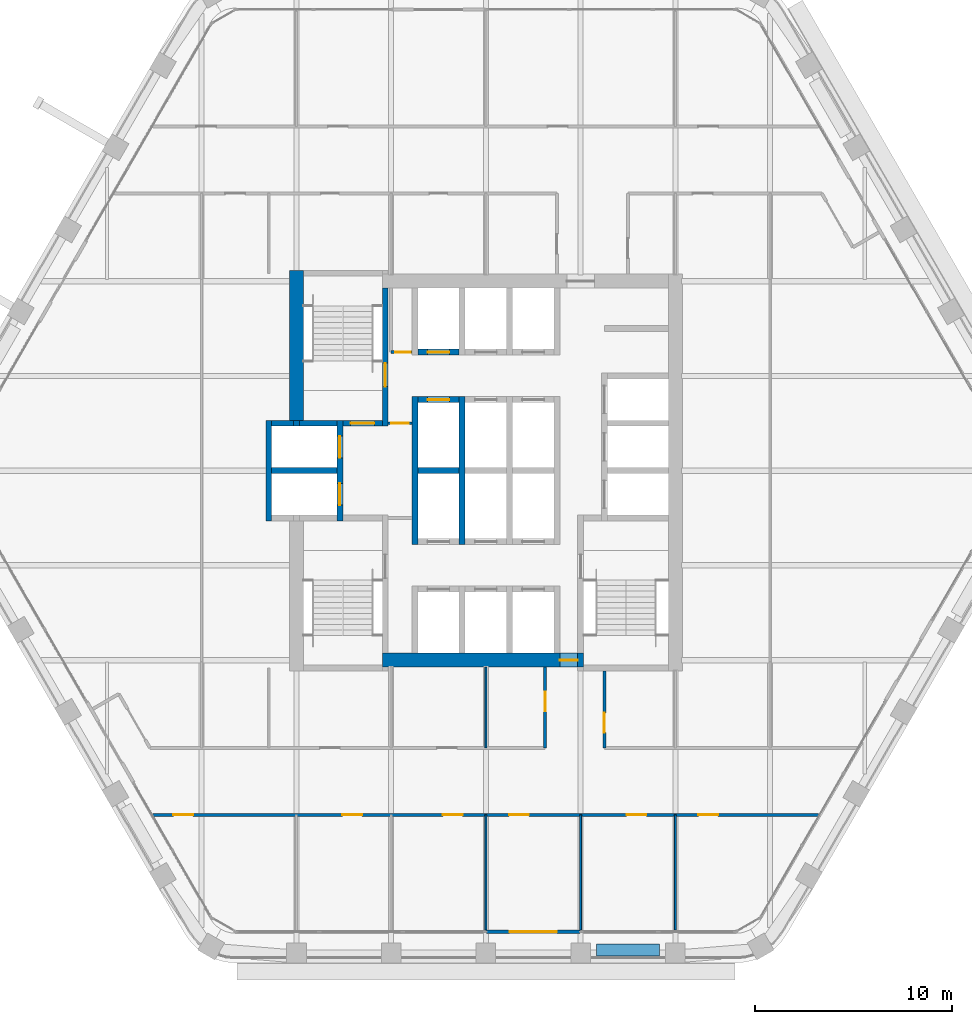
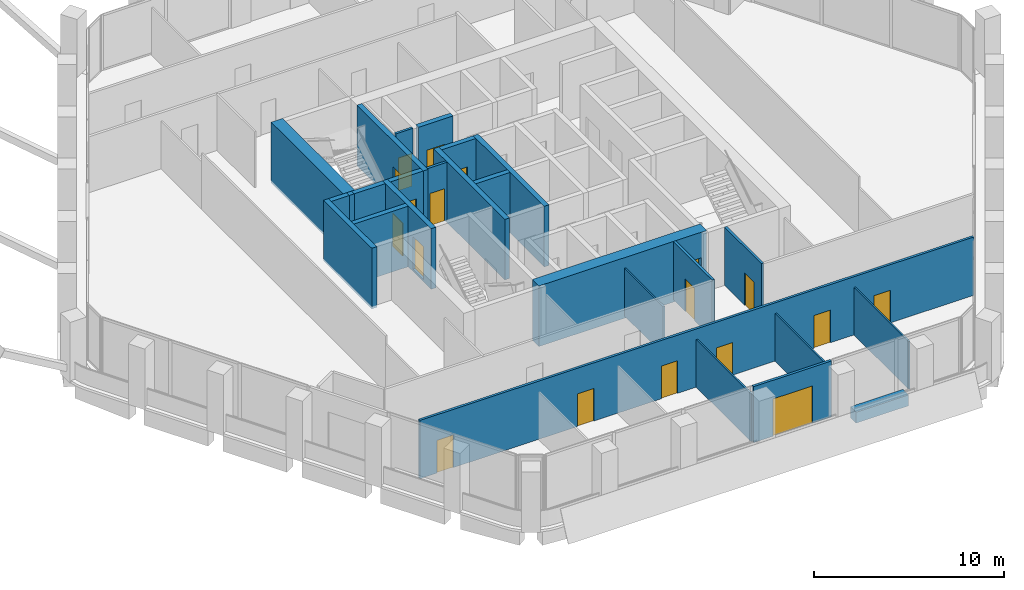
# One storey, part 10 of 16: 26 walls, 18 doors, 18 openings.
"""IFC4 building model written with IfcOpenShell, lengths in metres."""

from ifc_helpers import new_model, si_unit, direction, frame, frame_2d, origin, place, context, subcontext, project, spatial, rectangle, extrude, material, layer, layer_set, type_object, element, fill, save


model = new_model("IFC4")

# Units and contexts
model_context = context("Model", 3, precision=1e-05, world=origin(), true_north=direction((0.0, 1.0)))
body_context = subcontext(model_context, "Body", "Model", "MODEL_VIEW")
ifc_project = project(units=[si_unit("LENGTHUNIT", "METRE"), si_unit("AREAUNIT", "SQUARE_METRE"), si_unit("VOLUMEUNIT", "CUBIC_METRE"), si_unit("PLANEANGLEUNIT", "RADIAN"), si_unit("MASSUNIT", "GRAM", prefix="KILO")], contexts=[model_context])

# Site, building, storey
site_placement = place(None, origin())
site = spatial("IfcSite", under=ifc_project, at=site_placement, CompositionType="ELEMENT")
building_placement = place(site_placement, origin())
building = spatial("IfcBuilding", under=site, at=building_placement, Name="Kolab Exchange Tower", CompositionType="ELEMENT")
storey_placement = place(building_placement, frame((0.0, 0.0, 146.60009765625)))
storey = spatial("IfcBuildingStorey", under=building, at=storey_placement, Name="L29", CompositionType="ELEMENT", Elevation=146.60009765625)

# Wall, opening, door
ifc_material_1 = material(Name="Concrete C60/75", Category="concrete")
ifc_layer_1 = layer(ifc_material_1, 0.699951171875)
ifc_layer_set_1 = layer_set([ifc_layer_1], Name="Concrete C60/75")
wall_type_1 = type_object("IfcWallType", Name="CORE WALL 700 C60/75", PredefinedType="SHEAR", material=ifc_layer_set_1)
wall_1_placement = place(storey_placement, frame((-5.25, -9.60009765625, -0.150146484375), z_axis=(0.0, 0.0, 1.0), x_axis=(1.0, 0.0, 0.0)))
wall_1 = element("IfcWall", 1, at=wall_1_placement, inside=storey, type_object=wall_type_1, Name="wall/L29/core/002", PredefinedType="SHEAR", context=body_context, shape_type="SweptSolid", body=[
    extrude(rectangle(XDim=10.199951171875, YDim=0.699951171875, at=frame_2d((5.10009765625, 0.0))), origin(), (0.0, 0.0, 1.0), 3.900146484375),
])
opening_1_placement = place(wall_1_placement, frame((9.0, 0.0, 0.14990234375)))
opening_1 = element("IfcOpeningElement", 2, at=opening_1_placement, cuts=wall_1, Name="Opening D6-287", PredefinedType="OPENING", context=body_context, shape_type="SweptSolid", body=[
    extrude(rectangle(XDim=0.89990234375, YDim=2.10009765625, at=frame_2d((0.449951171875, 1.050048828125))), frame((0.0, 0.35986328125, 0.0), z_axis=(0.0, -1.0, 0.0), x_axis=(1.0, 0.0, 0.0)), (0.0, 0.0, 1.0), 0.719970703125),
])
ifc_material_2 = material(Name="Steel S235", Category="steel")
door_type_1 = type_object("IfcDoorType", Name="CORE DOOR 900 EI 120", OperationType="SINGLE_SWING_LEFT", PredefinedType="DOOR", material=ifc_material_2)
door_1_placement = place(opening_1_placement, origin())
door_1 = element("IfcDoor", 3, at=door_1_placement, inside=storey, type_object=door_type_1, Name="Core lobby door", OperationType="SINGLE_SWING_LEFT", OverallHeight=2.10009765625, OverallWidth=0.89990234375, PredefinedType="DOOR", context=body_context, shape_type="SweptSolid", body=[
    extrude(rectangle(XDim=0.89990234375, YDim=2.10009765625, at=frame_2d((0.449951171875, 1.050048828125))), frame((0.0, 0.02490234375, 0.0), z_axis=(0.0, -1.0, 0.0), x_axis=(1.0, 0.0, 0.0)), (0.0, 0.0, 1.0), 0.050048828125),
])
fill(opening_1, door_1)

# Wall
wall_2_placement = place(storey_placement, frame((-9.60009765625, 2.550048828125, -0.150146484375), z_axis=(0.0, 0.0, 1.0), x_axis=(0.0, 1.0, 0.0)))
element("IfcWall", 4, at=wall_2_placement, inside=storey, type_object=wall_type_1, Name="wall/L29/core/037", PredefinedType="SHEAR", context=body_context, shape_type="SweptSolid", body=[
    extrude(rectangle(XDim=7.599853515625, YDim=0.699951171875, at=frame_2d((3.7998046875, 0.0))), origin(), (0.0, 0.0, 1.0), 3.900146484375),
])

# Wall, opening, door
ifc_material_3 = material(Name="Aluminium EN AW-6063 T6", Category="aluminium")
ifc_layer_2 = layer(ifc_material_3, 0.159912109375)
ifc_layer_set_2 = layer_set([ifc_layer_2], Name="Aluminium EN AW-6063 T6")
wall_type_2 = type_object("IfcWallType", Name="DOOR SURROUND WALL 160 ALUMINIUM FRAMED", PredefinedType="PARTITIONING", material=ifc_layer_set_2)
wall_3_placement = place(storey_placement, frame((4.77001953125, -23.361572265625, 0.0), z_axis=(0.0, 0.0, 1.0), x_axis=(-1.0, 0.0, 0.0)))
wall_3 = element("IfcWall", 5, at=wall_3_placement, inside=storey, type_object=wall_type_2, Name="Door surround wall", PredefinedType="PARTITIONING", context=body_context, shape_type="SweptSolid", body=[
    extrude(rectangle(XDim=4.739990234375, YDim=0.159912109375, at=frame_2d((2.3701171875, 0.0))), origin(), (0.0, 0.0, 1.0), 3.599853515625),
])
opening_2_placement = place(wall_3_placement, frame((1.169921875, 0.0, 0.0)))
opening_2 = element("IfcOpeningElement", 6, at=opening_2_placement, cuts=wall_3, Name="Opening GD1-073", PredefinedType="OPENING", context=body_context, shape_type="SweptSolid", body=[
    extrude(rectangle(XDim=2.39990234375, YDim=2.39990234375, at=frame_2d((1.199951171875, 1.199951171875))), frame((0.0, 0.08984375, 0.0), z_axis=(0.0, -1.0, 0.0), x_axis=(1.0, 0.0, 0.0)), (0.0, 0.0, 1.0), 0.179931640625),
])
door_type_2 = type_object("IfcDoorType", Name="LOGGIA SLIDING GLASS DOOR 2400 X 2400", OperationType="DOUBLE_DOOR_SINGLE_SWING", PredefinedType="DOOR", material=ifc_material_3)
door_2_placement = place(opening_2_placement, origin())
door_2 = element("IfcDoor", 7, at=door_2_placement, inside=storey, type_object=door_type_2, Name="Loggia door", OperationType="DOUBLE_DOOR_SLIDING", OverallHeight=2.39990234375, OverallWidth=2.39990234375, PredefinedType="DOOR", context=body_context, shape_type="SweptSolid", body=[
    extrude(rectangle(XDim=2.39990234375, YDim=2.39990234375, at=frame_2d((1.199951171875, 1.199951171875))), frame((0.0, 0.02490234375, 0.0), z_axis=(0.0, -1.0, 0.0), x_axis=(1.0, 0.0, 0.0)), (0.0, 0.0, 1.0), 0.050048828125),
])
fill(opening_2, door_2)

# Walls
ifc_material_4 = material(Name="Concrete C50/60", Category="concrete")
ifc_layer_3 = layer(ifc_material_4, 0.300048828125)
ifc_layer_set_3 = layer_set([ifc_layer_3], Name="Concrete C50/60")
wall_type_3 = type_object("IfcWallType", Name="LIFT SHAFT WALL 300 C50/60", PredefinedType="STANDARD", material=ifc_layer_set_3)
wall_4_placement = place(storey_placement, frame((-10.85009765625, 0.0, -0.150146484375), z_axis=(0.0, 0.0, 1.0), x_axis=(1.0, 0.0, 0.0)))
element("IfcWall", 8, at=wall_4_placement, inside=storey, type_object=wall_type_3, Name="wall/L29/core/014", PredefinedType="STANDARD", context=body_context, shape_type="SweptSolid", body=[
    extrude(rectangle(XDim=3.300048828125, YDim=0.300048828125, at=frame_2d((1.64990234375, 0.0))), origin(), (0.0, 0.0, 1.0), 3.900146484375),
])
wall_5_placement = place(storey_placement, frame((-3.449951171875, 0.0, -0.150146484375), z_axis=(0.0, 0.0, 1.0), x_axis=(1.0, 0.0, 0.0)))
element("IfcWall", 9, at=wall_5_placement, inside=storey, type_object=wall_type_3, Name="wall/L29/core/015", PredefinedType="STANDARD", context=body_context, shape_type="SweptSolid", body=[
    extrude(rectangle(XDim=2.099853515625, YDim=0.300048828125, at=frame_2d((1.0498046875, 0.0))), origin(), (0.0, 0.0, 1.0), 3.900146484375),
])
wall_6_placement = place(storey_placement, frame((-10.85009765625, 2.39990234375, -0.150146484375), z_axis=(0.0, 0.0, 1.0), x_axis=(1.0, 0.0, 0.0)))
element("IfcWall", 10, at=wall_6_placement, inside=storey, type_object=wall_type_3, Name="wall/L29/core/019", PredefinedType="STANDARD", context=body_context, shape_type="SweptSolid", body=[
    extrude(rectangle(XDim=1.10009765625, YDim=0.300048828125, at=frame_2d((0.550048828125, 0.0))), origin(), (0.0, 0.0, 1.0), 3.900146484375),
])

# Wall, opening, door
wall_7_placement = place(storey_placement, frame((-3.449951171875, 3.60009765625, -0.150146484375), z_axis=(0.0, 0.0, 1.0), x_axis=(1.0, 0.0, 0.0)))
wall_7 = element("IfcWall", 11, at=wall_7_placement, inside=storey, type_object=wall_type_3, Name="wall/L29/core/023", PredefinedType="STANDARD", context=body_context, shape_type="SweptSolid", body=[
    extrude(rectangle(XDim=2.099853515625, YDim=0.300048828125, at=frame_2d((1.0498046875, 0.0))), origin(), (0.0, 0.0, 1.0), 3.900146484375),
])
opening_3_placement = place(wall_7_placement, frame((0.5, 0.0, 0.14990234375)))
opening_3 = element("IfcOpeningElement", 12, at=opening_3_placement, cuts=wall_7, Name="Opening LD1-115", PredefinedType="OPENING", context=body_context, shape_type="SweptSolid", body=[
    extrude(rectangle(XDim=1.10009765625, YDim=2.10009765625, at=frame_2d((0.550048828125, 1.050048828125))), frame((0.0, 0.16015625, 0.0), z_axis=(0.0, -1.0, 0.0), x_axis=(1.0, 0.0, 0.0)), (0.0, 0.0, 1.0), 0.320068359375),
])
ifc_material_5 = material(Name="Stainless steel 316", Category="steel")
door_type_3 = type_object("IfcDoorType", Name="LANDING DOOR 1100 PASSENGER", OperationType="DOUBLE_DOOR_SLIDING", PredefinedType="DOOR", material=ifc_material_5)
door_3_placement = place(opening_3_placement, origin())
door_3 = element("IfcDoor", 13, at=door_3_placement, inside=storey, type_object=door_type_3, Name="Landing door HR4", OperationType="DOUBLE_DOOR_SLIDING", OverallHeight=2.10009765625, OverallWidth=1.10009765625, PredefinedType="DOOR", context=body_context, shape_type="SweptSolid", body=[
    extrude(rectangle(XDim=1.10009765625, YDim=2.10009765625, at=frame_2d((0.550048828125, 1.050048828125))), frame((0.0, 0.02490234375, 0.0), z_axis=(0.0, -1.0, 0.0), x_axis=(1.0, 0.0, 0.0)), (0.0, 0.0, 1.0), 0.050048828125),
])
fill(opening_3, door_3)

wall_8_placement = place(storey_placement, frame((-3.449951171875, 6.0, -0.150146484375), z_axis=(0.0, 0.0, 1.0), x_axis=(1.0, 0.0, 0.0)))
wall_8 = element("IfcWall", 14, at=wall_8_placement, inside=storey, type_object=wall_type_3, Name="wall/L29/core/027", PredefinedType="STANDARD", context=body_context, shape_type="SweptSolid", body=[
    extrude(rectangle(XDim=2.099853515625, YDim=0.300048828125, at=frame_2d((1.0498046875, 0.0))), origin(), (0.0, 0.0, 1.0), 3.900146484375),
])
opening_4_placement = place(wall_8_placement, frame((0.5, 0.0, 0.14990234375)))
opening_4 = element("IfcOpeningElement", 15, at=opening_4_placement, cuts=wall_8, Name="Opening LD1-109", PredefinedType="OPENING", context=body_context, shape_type="SweptSolid", body=[
    extrude(rectangle(XDim=1.10009765625, YDim=2.10009765625, at=frame_2d((0.550048828125, 1.050048828125))), frame((0.0, 0.16015625, 0.0), z_axis=(0.0, -1.0, 0.0), x_axis=(1.0, 0.0, 0.0)), (0.0, 0.0, 1.0), 0.320068359375),
])
door_4_placement = place(opening_4_placement, origin())
door_4 = element("IfcDoor", 16, at=door_4_placement, inside=storey, type_object=door_type_3, Name="Landing door HR1", OperationType="DOUBLE_DOOR_SLIDING", OverallHeight=2.10009765625, OverallWidth=1.10009765625, PredefinedType="DOOR", context=body_context, shape_type="SweptSolid", body=[
    extrude(rectangle(XDim=1.10009765625, YDim=2.10009765625, at=frame_2d((0.550048828125, 1.050048828125))), frame((0.0, 0.02490234375, 0.0), z_axis=(0.0, -1.0, 0.0), x_axis=(1.0, 0.0, 0.0)), (0.0, 0.0, 1.0), 0.050048828125),
])
fill(opening_4, door_4)

# Wall
wall_9_placement = place(storey_placement, frame((-11.0, -2.550048828125, -0.150146484375), z_axis=(0.0, 0.0, 1.0), x_axis=(0.0, 1.0, 0.0)))
element("IfcWall", 17, at=wall_9_placement, inside=storey, type_object=wall_type_3, Name="wall/L29/core/033", PredefinedType="STANDARD", context=body_context, shape_type="SweptSolid", body=[
    extrude(rectangle(XDim=5.10009765625, YDim=0.300048828125, at=frame_2d((2.550048828125, 0.0))), origin(), (0.0, 0.0, 1.0), 3.900146484375),
])

# Wall, openings, doors
wall_10_placement = place(storey_placement, frame((-7.39990234375, -2.550048828125, -0.150146484375), z_axis=(0.0, 0.0, 1.0), x_axis=(0.0, 1.0, 0.0)))
wall_10 = element("IfcWall", 18, at=wall_10_placement, inside=storey, type_object=wall_type_3, Name="wall/L29/core/038", PredefinedType="STANDARD", context=body_context, shape_type="SweptSolid", body=[
    extrude(rectangle(XDim=5.10009765625, YDim=0.300048828125, at=frame_2d((2.550048828125, 0.0))), origin(), (0.0, 0.0, 1.0), 3.900146484375),
])
opening_5_placement = place(wall_10_placement, frame((0.800048828125, 0.0, 0.14990234375)))
opening_5 = element("IfcOpeningElement", 19, at=opening_5_placement, cuts=wall_10, Name="Opening LD2-025", PredefinedType="OPENING", context=body_context, shape_type="SweptSolid", body=[
    extrude(rectangle(XDim=1.10009765625, YDim=2.10009765625, at=frame_2d((0.550048828125, 1.050048828125))), frame((0.0, 0.16015625, 0.0), z_axis=(0.0, -1.0, 0.0), x_axis=(1.0, 0.0, 0.0)), (0.0, 0.0, 1.0), 0.320068359375),
])
opening_6_placement = place(wall_10_placement, frame((3.199951171875, 0.0, 0.14990234375)))
opening_6 = element("IfcOpeningElement", 20, at=opening_6_placement, cuts=wall_10, Name="Opening LD2-026", PredefinedType="OPENING", context=body_context, shape_type="SweptSolid", body=[
    extrude(rectangle(XDim=1.10009765625, YDim=2.10009765625, at=frame_2d((0.550048828125, 1.050048828125))), frame((0.0, 0.16015625, 0.0), z_axis=(0.0, -1.0, 0.0), x_axis=(1.0, 0.0, 0.0)), (0.0, 0.0, 1.0), 0.320068359375),
])
door_type_4 = type_object("IfcDoorType", Name="LANDING DOOR 1100 FIREFIGHTING", OperationType="DOUBLE_DOOR_SLIDING", PredefinedType="DOOR", material=ifc_material_5)
door_5_placement = place(opening_5_placement, origin())
door_5 = element("IfcDoor", 21, at=door_5_placement, inside=storey, type_object=door_type_4, Name="Landing door FF1", OperationType="DOUBLE_DOOR_SLIDING", OverallHeight=2.10009765625, OverallWidth=1.10009765625, PredefinedType="DOOR", context=body_context, shape_type="SweptSolid", body=[
    extrude(rectangle(XDim=1.10009765625, YDim=2.10009765625, at=frame_2d((0.550048828125, 1.050048828125))), frame((0.0, 0.02490234375, 0.0), z_axis=(0.0, -1.0, 0.0), x_axis=(1.0, 0.0, 0.0)), (0.0, 0.0, 1.0), 0.050048828125),
])
fill(opening_5, door_5)
door_6_placement = place(opening_6_placement, origin())
door_6 = element("IfcDoor", 22, at=door_6_placement, inside=storey, type_object=door_type_4, Name="Landing door FF2", OperationType="DOUBLE_DOOR_SLIDING", OverallHeight=2.10009765625, OverallWidth=1.10009765625, PredefinedType="DOOR", context=body_context, shape_type="SweptSolid", body=[
    extrude(rectangle(XDim=1.10009765625, YDim=2.10009765625, at=frame_2d((0.550048828125, 1.050048828125))), frame((0.0, 0.02490234375, 0.0), z_axis=(0.0, -1.0, 0.0), x_axis=(1.0, 0.0, 0.0)), (0.0, 0.0, 1.0), 0.050048828125),
])
fill(opening_6, door_6)

# Walls
for number, where, z_axis, x_axis, name in (
    (23, (-3.60009765625, -3.75, -0.150146484375), (0.0, 0.0, 1.0), (0.0, 1.0, 0.0), "wall/L29/core/044"),
    (24, (-1.199951171875, -3.75, -0.150146484375), (0.0, 0.0, 1.0), (0.0, 1.0, 0.0), "wall/L29/core/047"),
):
    element("IfcWall", number, at=place(storey_placement, frame(where, z_axis=z_axis, x_axis=x_axis)), inside=storey, type_object=wall_type_3, Name=name, PredefinedType="STANDARD", context=body_context, shape_type="SweptSolid", body=[
        extrude(rectangle(XDim=7.5, YDim=0.300048828125, at=frame_2d((3.75, 0.0))), origin(), (0.0, 0.0, 1.0), 3.900146484375),
    ])
ifc_material_6 = material(Name="Gypsum board", Category="gypsum")
ifc_layer_4 = layer(ifc_material_6, 0.10009765625)
ifc_layer_set_4 = layer_set([ifc_layer_4], Name="Gypsum board")
wall_type_4 = type_object("IfcWallType", Name="PARTITION 100", PredefinedType="PARTITIONING", material=ifc_layer_set_4)
wall_11_placement = place(storey_placement, frame((9.60009765625, -23.271484375, 0.0), z_axis=(0.0, 0.0, 1.0), x_axis=(0.0, 1.0, 0.0)))
element("IfcWall", 25, at=wall_11_placement, inside=storey, type_object=wall_type_4, Name="Partition 001", PredefinedType="PARTITIONING", context=body_context, shape_type="SweptSolid", body=[
    extrude(rectangle(XDim=5.830078125, YDim=0.10009765625, at=frame_2d((2.9150390625, 0.0))), origin(), (0.0, 0.0, 1.0), 3.06591796875),
])
for number, where, z_axis, x_axis, name in (
    (26, (4.800048828125, -23.281494140625, 0.0), (0.0, 0.0, 1.0), (0.0, 1.0, 0.0), "Partition 007"),
    (27, (0.0, -23.281494140625, 0.0), (0.0, 0.0, 1.0), (0.0, 1.0, 0.0), "Partition 010"),
):
    element("IfcWall", number, at=place(storey_placement, frame(where, z_axis=z_axis, x_axis=x_axis)), inside=storey, type_object=wall_type_4, Name=name, PredefinedType="PARTITIONING", context=body_context, shape_type="SweptSolid", body=[
        extrude(rectangle(XDim=5.840087890625, YDim=0.10009765625, at=frame_2d((2.919921875, 0.0))), origin(), (0.0, 0.0, 1.0), 3.06591796875),
    ])
wall_12_placement = place(storey_placement, frame((0.0, -14.04150390625, 0.0), z_axis=(0.0, 0.0, 1.0), x_axis=(0.0, 1.0, 0.0)))
element("IfcWall", 28, at=wall_12_placement, inside=storey, type_object=wall_type_4, Name="Partition 011", PredefinedType="PARTITIONING", context=body_context, shape_type="SweptSolid", body=[
    extrude(rectangle(XDim=4.091552734375, YDim=0.10009765625, at=frame_2d((2.0458984375, 0.0))), origin(), (0.0, 0.0, 1.0), 3.06591796875),
])

# Wall, opening, door
ifc_layer_5 = layer(ifc_material_6, 0.14990234375)
ifc_layer_set_5 = layer_set([ifc_layer_5], Name="Gypsum board")
wall_type_5 = type_object("IfcWallType", Name="PARTITION 150 FIRE-RATED", PredefinedType="PARTITIONING", material=ifc_layer_set_5)
wall_13_placement = place(storey_placement, frame((6.0, -14.04150390625, 0.0), z_axis=(0.0, 0.0, 1.0), x_axis=(0.0, 1.0, 0.0)))
wall_13 = element("IfcWall", 29, at=wall_13_placement, inside=storey, type_object=wall_type_5, Name="Partition 006", PredefinedType="PARTITIONING", context=body_context, shape_type="SweptSolid", body=[
    extrude(rectangle(XDim=3.8916015625, YDim=0.14990234375, at=frame_2d((1.94580078125, 0.0))), origin(), (0.0, 0.0, 1.0), 3.75),
])
opening_7_placement = place(wall_13_placement, frame((0.771240234375, 0.0, 0.0)))
opening_7 = element("IfcOpeningElement", 30, at=opening_7_placement, cuts=wall_13, Name="Opening D1-419", PredefinedType="OPENING", context=body_context, shape_type="SweptSolid", body=[
    extrude(rectangle(XDim=1.0, YDim=2.10009765625, at=frame_2d((0.5, 1.050048828125))), frame((0.0, 0.0849609375, 0.0), z_axis=(0.0, -1.0, 0.0), x_axis=(1.0, 0.0, 0.0)), (0.0, 0.0, 1.0), 0.169921875),
])
door_type_5 = type_object("IfcDoorType", Name="FLUSH DOOR 1000 FD60", OperationType="SINGLE_SWING_LEFT", PredefinedType="DOOR", material=ifc_material_2)
door_7_placement = place(opening_7_placement, frame((1.0, 0.0, 0.0), z_axis=(0.0, 0.0, 1.0), x_axis=(-1.0, 0.0, 0.0)))
door_7 = element("IfcDoor", 31, at=door_7_placement, inside=storey, type_object=door_type_5, Name="Door L29-034", OperationType="SINGLE_SWING_LEFT", OverallHeight=2.10009765625, OverallWidth=1.0, PredefinedType="DOOR", context=body_context, shape_type="SweptSolid", body=[
    extrude(rectangle(XDim=1.0, YDim=2.10009765625, at=frame_2d((0.5, 1.050048828125))), frame((0.0, 0.02490234375, 0.0), z_axis=(0.0, -1.0, 0.0), x_axis=(1.0, 0.0, 0.0)), (0.0, 0.0, 1.0), 0.050048828125),
])
fill(opening_7, door_7)

wall_14_placement = place(storey_placement, frame((3.0, -14.04150390625, 0.0), z_axis=(0.0, 0.0, 1.0), x_axis=(0.0, 1.0, 0.0)))
wall_14 = element("IfcWall", 32, at=wall_14_placement, inside=storey, type_object=wall_type_5, Name="Partition 009", PredefinedType="PARTITIONING", context=body_context, shape_type="SweptSolid", body=[
    extrude(rectangle(XDim=4.091552734375, YDim=0.14990234375, at=frame_2d((2.0458984375, 0.0))), origin(), (0.0, 0.0, 1.0), 3.75),
])
opening_8_placement = place(wall_14_placement, frame((1.842041015625, 0.0, 0.0)))
opening_8 = element("IfcOpeningElement", 33, at=opening_8_placement, cuts=wall_14, Name="Opening D1-421", PredefinedType="OPENING", context=body_context, shape_type="SweptSolid", body=[
    extrude(rectangle(XDim=1.0, YDim=2.10009765625, at=frame_2d((0.5, 1.050048828125))), frame((0.0, 0.0849609375, 0.0), z_axis=(0.0, -1.0, 0.0), x_axis=(1.0, 0.0, 0.0)), (0.0, 0.0, 1.0), 0.169921875),
])
door_8_placement = place(opening_8_placement, origin())
door_8 = element("IfcDoor", 34, at=door_8_placement, inside=storey, type_object=door_type_5, Name="Door L29-037", OperationType="SINGLE_SWING_RIGHT", OverallHeight=2.10009765625, OverallWidth=1.0, PredefinedType="DOOR", context=body_context, shape_type="SweptSolid", body=[
    extrude(rectangle(XDim=1.0, YDim=2.10009765625, at=frame_2d((0.5, 1.050048828125))), frame((0.0, 0.02490234375, 0.0), z_axis=(0.0, -1.0, 0.0), x_axis=(1.0, 0.0, 0.0)), (0.0, 0.0, 1.0), 0.050048828125),
])
fill(opening_8, door_8)

# Wall, openings, doors
wall_15_placement = place(storey_placement, frame((-16.859619140625, -17.44140625, 0.0), z_axis=(0.0, 0.0, 1.0), x_axis=(1.0, 0.0, 0.0)))
wall_15 = element("IfcWall", 35, at=wall_15_placement, inside=storey, type_object=wall_type_5, Name="Partition 027", PredefinedType="PARTITIONING", context=body_context, shape_type="SweptSolid", body=[
    extrude(rectangle(XDim=33.71923828125, YDim=0.14990234375, at=frame_2d((16.859619140625, 0.0))), origin(), (0.0, 0.0, 1.0), 3.75),
])
opening_9_placement = place(wall_15_placement, frame((1.031005859375, 0.0, 0.0)))
opening_9 = element("IfcOpeningElement", 36, at=opening_9_placement, cuts=wall_15, Name="Opening D1-426", PredefinedType="OPENING", context=body_context, shape_type="SweptSolid", body=[
    extrude(rectangle(XDim=1.0, YDim=2.10009765625, at=frame_2d((0.5, 1.050048828125))), frame((0.0, 0.0849609375, 0.0), z_axis=(0.0, -1.0, 0.0), x_axis=(1.0, 0.0, 0.0)), (0.0, 0.0, 1.0), 0.169921875),
])
opening_10_placement = place(wall_15_placement, frame((9.594482421875, 0.0, 0.0)))
opening_10 = element("IfcOpeningElement", 37, at=opening_10_placement, cuts=wall_15, Name="Opening D1-411", PredefinedType="OPENING", context=body_context, shape_type="SweptSolid", body=[
    extrude(rectangle(XDim=1.0, YDim=2.10009765625, at=frame_2d((0.5, 1.050048828125))), frame((0.0, 0.0849609375, 0.0), z_axis=(0.0, -1.0, 0.0), x_axis=(1.0, 0.0, 0.0)), (0.0, 0.0, 1.0), 0.169921875),
])
opening_11_placement = place(wall_15_placement, frame((14.6845703125, 0.0, 0.0)))
opening_11 = element("IfcOpeningElement", 38, at=opening_11_placement, cuts=wall_15, Name="Opening D1-427", PredefinedType="OPENING", context=body_context, shape_type="SweptSolid", body=[
    extrude(rectangle(XDim=1.0, YDim=2.10009765625, at=frame_2d((0.5, 1.050048828125))), frame((0.0, 0.0849609375, 0.0), z_axis=(0.0, -1.0, 0.0), x_axis=(1.0, 0.0, 0.0)), (0.0, 0.0, 1.0), 0.169921875),
])
opening_12_placement = place(wall_15_placement, frame((18.034423828125, 0.0, 0.0)))
opening_12 = element("IfcOpeningElement", 39, at=opening_12_placement, cuts=wall_15, Name="Opening D1-428", PredefinedType="OPENING", context=body_context, shape_type="SweptSolid", body=[
    extrude(rectangle(XDim=1.0, YDim=2.10009765625, at=frame_2d((0.5, 1.050048828125))), frame((0.0, 0.0849609375, 0.0), z_axis=(0.0, -1.0, 0.0), x_axis=(1.0, 0.0, 0.0)), (0.0, 0.0, 1.0), 0.169921875),
])
opening_13_placement = place(wall_15_placement, frame((23.994384765625, 0.0, 0.0)))
opening_13 = element("IfcOpeningElement", 40, at=opening_13_placement, cuts=wall_15, Name="Opening D1-429", PredefinedType="OPENING", context=body_context, shape_type="SweptSolid", body=[
    extrude(rectangle(XDim=1.0, YDim=2.10009765625, at=frame_2d((0.5, 1.050048828125))), frame((0.0, 0.0849609375, 0.0), z_axis=(0.0, -1.0, 0.0), x_axis=(1.0, 0.0, 0.0)), (0.0, 0.0, 1.0), 0.169921875),
])
opening_14_placement = place(wall_15_placement, frame((27.629150390625, 0.0, 0.0)))
opening_14 = element("IfcOpeningElement", 41, at=opening_14_placement, cuts=wall_15, Name="Opening D1-415", PredefinedType="OPENING", context=body_context, shape_type="SweptSolid", body=[
    extrude(rectangle(XDim=1.0, YDim=2.10009765625, at=frame_2d((0.5, 1.050048828125))), frame((0.0, 0.0849609375, 0.0), z_axis=(0.0, -1.0, 0.0), x_axis=(1.0, 0.0, 0.0)), (0.0, 0.0, 1.0), 0.169921875),
])
door_9_placement = place(opening_9_placement, frame((1.0, 0.0, 0.0), z_axis=(0.0, 0.0, 1.0), x_axis=(-1.0, 0.0, 0.0)))
door_9 = element("IfcDoor", 42, at=door_9_placement, inside=storey, type_object=door_type_5, Name="Door L29-042", OperationType="SINGLE_SWING_LEFT", OverallHeight=2.10009765625, OverallWidth=1.0, PredefinedType="DOOR", context=body_context, shape_type="SweptSolid", body=[
    extrude(rectangle(XDim=1.0, YDim=2.10009765625, at=frame_2d((0.5, 1.050048828125))), frame((0.0, 0.02490234375, 0.0), z_axis=(0.0, -1.0, 0.0), x_axis=(1.0, 0.0, 0.0)), (0.0, 0.0, 1.0), 0.050048828125),
])
fill(opening_9, door_9)
door_10_placement = place(opening_10_placement, frame((1.0, 0.0, 0.0), z_axis=(0.0, 0.0, 1.0), x_axis=(-1.0, 0.0, 0.0)))
door_10 = element("IfcDoor", 43, at=door_10_placement, inside=storey, type_object=door_type_5, Name="Door L29-043", OperationType="SINGLE_SWING_RIGHT", OverallHeight=2.10009765625, OverallWidth=1.0, PredefinedType="DOOR", context=body_context, shape_type="SweptSolid", body=[
    extrude(rectangle(XDim=1.0, YDim=2.10009765625, at=frame_2d((0.5, 1.050048828125))), frame((0.0, 0.02490234375, 0.0), z_axis=(0.0, -1.0, 0.0), x_axis=(1.0, 0.0, 0.0)), (0.0, 0.0, 1.0), 0.050048828125),
])
fill(opening_10, door_10)
door_11_placement = place(opening_11_placement, frame((1.0, 0.0, 0.0), z_axis=(0.0, 0.0, 1.0), x_axis=(-1.0, 0.0, 0.0)))
door_11 = element("IfcDoor", 44, at=door_11_placement, inside=storey, type_object=door_type_5, Name="Door L29-044", OperationType="SINGLE_SWING_RIGHT", OverallHeight=2.10009765625, OverallWidth=1.0, PredefinedType="DOOR", context=body_context, shape_type="SweptSolid", body=[
    extrude(rectangle(XDim=1.0, YDim=2.10009765625, at=frame_2d((0.5, 1.050048828125))), frame((0.0, 0.02490234375, 0.0), z_axis=(0.0, -1.0, 0.0), x_axis=(1.0, 0.0, 0.0)), (0.0, 0.0, 1.0), 0.050048828125),
])
fill(opening_11, door_11)
door_12_placement = place(opening_12_placement, frame((1.0, 0.0, 0.0), z_axis=(0.0, 0.0, 1.0), x_axis=(-1.0, 0.0, 0.0)))
door_12 = element("IfcDoor", 45, at=door_12_placement, inside=storey, type_object=door_type_5, Name="Door L29-045", OperationType="SINGLE_SWING_LEFT", OverallHeight=2.10009765625, OverallWidth=1.0, PredefinedType="DOOR", context=body_context, shape_type="SweptSolid", body=[
    extrude(rectangle(XDim=1.0, YDim=2.10009765625, at=frame_2d((0.5, 1.050048828125))), frame((0.0, 0.02490234375, 0.0), z_axis=(0.0, -1.0, 0.0), x_axis=(1.0, 0.0, 0.0)), (0.0, 0.0, 1.0), 0.050048828125),
])
fill(opening_12, door_12)
door_13_placement = place(opening_13_placement, frame((1.0, 0.0, 0.0), z_axis=(0.0, 0.0, 1.0), x_axis=(-1.0, 0.0, 0.0)))
door_13 = element("IfcDoor", 46, at=door_13_placement, inside=storey, type_object=door_type_5, Name="Door L29-046", OperationType="SINGLE_SWING_RIGHT", OverallHeight=2.10009765625, OverallWidth=1.0, PredefinedType="DOOR", context=body_context, shape_type="SweptSolid", body=[
    extrude(rectangle(XDim=1.0, YDim=2.10009765625, at=frame_2d((0.5, 1.050048828125))), frame((0.0, 0.02490234375, 0.0), z_axis=(0.0, -1.0, 0.0), x_axis=(1.0, 0.0, 0.0)), (0.0, 0.0, 1.0), 0.050048828125),
])
fill(opening_13, door_13)
door_14_placement = place(opening_14_placement, frame((1.0, 0.0, 0.0), z_axis=(0.0, 0.0, 1.0), x_axis=(-1.0, 0.0, 0.0)))
door_14 = element("IfcDoor", 47, at=door_14_placement, inside=storey, type_object=door_type_5, Name="Door L29-047", OperationType="SINGLE_SWING_LEFT", OverallHeight=2.10009765625, OverallWidth=1.0, PredefinedType="DOOR", context=body_context, shape_type="SweptSolid", body=[
    extrude(rectangle(XDim=1.0, YDim=2.10009765625, at=frame_2d((0.5, 1.050048828125))), frame((0.0, 0.02490234375, 0.0), z_axis=(0.0, -1.0, 0.0), x_axis=(1.0, 0.0, 0.0)), (0.0, 0.0, 1.0), 0.050048828125),
])
fill(opening_14, door_14)

# Wall, opening, door
wall_16_placement = place(storey_placement, frame((-4.800048828125, 6.0, 0.0), z_axis=(0.0, 0.0, 1.0), x_axis=(1.0, 0.0, 0.0)))
wall_16 = element("IfcWall", 48, at=wall_16_placement, inside=storey, type_object=wall_type_5, Name="Partition 030", PredefinedType="PARTITIONING", context=body_context, shape_type="SweptSolid", body=[
    extrude(rectangle(XDim=1.050048828125, YDim=0.14990234375, at=frame_2d((0.52490234375, 0.0))), origin(), (0.0, 0.0, 1.0), 3.75),
])
opening_15_placement = place(wall_16_placement, frame((0.199951171875, 0.0, 0.0)))
opening_15 = element("IfcOpeningElement", 49, at=opening_15_placement, cuts=wall_16, Name="Opening D7-032", PredefinedType="OPENING", context=body_context, shape_type="SweptSolid", body=[
    extrude(rectangle(XDim=0.800048828125, YDim=2.10009765625, at=frame_2d((0.39990234375, 1.050048828125))), frame((0.0, 0.0849609375, 0.0), z_axis=(0.0, -1.0, 0.0), x_axis=(1.0, 0.0, 0.0)), (0.0, 0.0, 1.0), 0.169921875),
])
door_type_6 = type_object("IfcDoorType", Name="FLUSH DOOR 800 FD60", OperationType="SINGLE_SWING_LEFT", PredefinedType="DOOR", material=ifc_material_2)
door_15_placement = place(opening_15_placement, origin())
door_15 = element("IfcDoor", 50, at=door_15_placement, inside=storey, type_object=door_type_6, Name="Door L29-023", OperationType="SINGLE_SWING_RIGHT", OverallHeight=2.10009765625, OverallWidth=0.800048828125, PredefinedType="DOOR", context=body_context, shape_type="SweptSolid", body=[
    extrude(rectangle(XDim=0.800048828125, YDim=2.10009765625, at=frame_2d((0.39990234375, 1.050048828125))), frame((0.0, 0.02490234375, 0.0), z_axis=(0.0, -1.0, 0.0), x_axis=(1.0, 0.0, 0.0)), (0.0, 0.0, 1.0), 0.050048828125),
])
fill(opening_15, door_15)

wall_17_placement = place(storey_placement, frame((-4.949951171875, 2.39990234375, 0.0), z_axis=(0.0, 0.0, 1.0), x_axis=(1.0, 0.0, 0.0)))
wall_17 = element("IfcWall", 51, at=wall_17_placement, inside=storey, type_object=wall_type_5, Name="Fire partition", PredefinedType="PARTITIONING", context=body_context, shape_type="SweptSolid", body=[
    extrude(rectangle(XDim=1.199951171875, YDim=0.14990234375, at=frame_2d((0.60009765625, 0.0))), origin(), (0.0, 0.0, 1.0), 3.75),
])
opening_16_placement = place(wall_17_placement, frame((0.14990234375, 0.0, 0.0)))
opening_16 = element("IfcOpeningElement", 52, at=opening_16_placement, cuts=wall_17, Name="Opening D6-288", PredefinedType="OPENING", context=body_context, shape_type="SweptSolid", body=[
    extrude(rectangle(XDim=0.89990234375, YDim=2.10009765625, at=frame_2d((0.449951171875, 1.050048828125))), frame((0.0, 0.0849609375, 0.0), z_axis=(0.0, -1.0, 0.0), x_axis=(1.0, 0.0, 0.0)), (0.0, 0.0, 1.0), 0.169921875),
])
door_16_placement = place(opening_16_placement, frame((0.89990234375, 0.0, 0.0), z_axis=(0.0, 0.0, 1.0), x_axis=(-1.0, 0.0, 0.0)))
door_16 = element("IfcDoor", 53, at=door_16_placement, inside=storey, type_object=door_type_1, Name="Firefighting lobby door", OperationType="SINGLE_SWING_RIGHT", OverallHeight=2.10009765625, OverallWidth=0.89990234375, PredefinedType="DOOR", context=body_context, shape_type="SweptSolid", body=[
    extrude(rectangle(XDim=0.89990234375, YDim=2.10009765625, at=frame_2d((0.449951171875, 1.050048828125))), frame((0.0, 0.02490234375, 0.0), z_axis=(0.0, -1.0, 0.0), x_axis=(1.0, 0.0, 0.0)), (0.0, 0.0, 1.0), 0.050048828125),
])
fill(opening_16, door_16)

# Walls
ifc_material_7 = material(Name="Granite facing", Category="masonry")
ifc_layer_6 = layer(ifc_material_7, 0.0400390625)
ifc_material_8 = material(Name="Concrete C40/50 precast", Category="concrete")
ifc_layer_7 = layer(ifc_material_8, 0.56005859375)
ifc_layer_set_6 = layer_set([ifc_layer_6, ifc_layer_7], Name="Concrete C40/50 precast")
wall_type_6 = type_object("IfcWallType", Name="PLANTER BOX 600 X 700 SOIL DEPTH 550", PredefinedType="USERDEFINED", material=ifc_layer_set_6)
wall_18_placement = place(storey_placement, frame((8.800048828125, -24.29150390625, 0.0), z_axis=(0.0, 0.0, 1.0), x_axis=(-1.0, 0.0, 0.0)))
element("IfcWall", 54, at=wall_18_placement, inside=storey, type_object=wall_type_6, Name="Planter", ObjectType="PLANTER", PredefinedType="USERDEFINED", context=body_context, shape_type="SweptSolid", body=[
    extrude(rectangle(XDim=3.199951171875, YDim=0.60009765625, at=frame_2d((1.60009765625, 0.0))), origin(), (0.0, 0.0, 1.0), 0.699951171875),
])
ifc_layer_8 = layer(ifc_material_4, 0.300048828125)
ifc_layer_set_7 = layer_set([ifc_layer_8], Name="Concrete C50/60")
wall_type_7 = type_object("IfcWallType", Name="STAIR ENCLOSURE WALL 300 C50/60", PredefinedType="STANDARD", material=ifc_layer_set_7)
wall_19_placement = place(storey_placement, frame((-9.449951171875, 2.39990234375, -0.150146484375), z_axis=(0.0, 0.0, 1.0), x_axis=(1.0, 0.0, 0.0)))
element("IfcWall", 55, at=wall_19_placement, inside=storey, type_object=wall_type_7, Name="wall/L29/core/020", PredefinedType="STANDARD", context=body_context, shape_type="SweptSolid", body=[
    extrude(rectangle(XDim=1.89990234375, YDim=0.300048828125, at=frame_2d((0.949951171875, 0.0))), origin(), (0.0, 0.0, 1.0), 3.900146484375),
])

# Wall, opening, door
wall_20_placement = place(storey_placement, frame((-7.25, 2.39990234375, -0.150146484375), z_axis=(0.0, 0.0, 1.0), x_axis=(1.0, 0.0, 0.0)))
wall_20 = element("IfcWall", 56, at=wall_20_placement, inside=storey, type_object=wall_type_7, Name="wall/L29/core/021", PredefinedType="STANDARD", context=body_context, shape_type="SweptSolid", body=[
    extrude(rectangle(XDim=2.0, YDim=0.300048828125, at=frame_2d((1.0, 0.0))), origin(), (0.0, 0.0, 1.0), 3.900146484375),
])
opening_17_placement = place(wall_20_placement, frame((0.39990234375, 0.0, 0.14990234375)))
opening_17 = element("IfcOpeningElement", 57, at=opening_17_placement, cuts=wall_20, Name="Opening D4-065", PredefinedType="OPENING", context=body_context, shape_type="SweptSolid", body=[
    extrude(rectangle(XDim=1.199951171875, YDim=2.10009765625, at=frame_2d((0.60009765625, 1.050048828125))), frame((0.0, 0.16015625, 0.0), z_axis=(0.0, -1.0, 0.0), x_axis=(1.0, 0.0, 0.0)), (0.0, 0.0, 1.0), 0.320068359375),
])
door_type_7 = type_object("IfcDoorType", Name="STAIR DOOR 1200 EI 120", OperationType="SINGLE_SWING_LEFT", PredefinedType="DOOR", material=ifc_material_2)
door_17_placement = place(opening_17_placement, origin())
door_17 = element("IfcDoor", 58, at=door_17_placement, inside=storey, type_object=door_type_7, Name="Stair 1 door", OperationType="SINGLE_SWING_RIGHT", OverallHeight=2.10009765625, OverallWidth=1.199951171875, PredefinedType="DOOR", context=body_context, shape_type="SweptSolid", body=[
    extrude(rectangle(XDim=1.199951171875, YDim=2.10009765625, at=frame_2d((0.60009765625, 1.050048828125))), frame((0.0, 0.02490234375, 0.0), z_axis=(0.0, -1.0, 0.0), x_axis=(1.0, 0.0, 0.0)), (0.0, 0.0, 1.0), 0.050048828125),
])
fill(opening_17, door_17)

# Wall
wall_21_placement = place(storey_placement, frame((-9.60009765625, 2.25, -0.150146484375), z_axis=(0.0, 0.0, 1.0), x_axis=(0.0, 1.0, 0.0)))
element("IfcWall", 59, at=wall_21_placement, inside=storey, type_object=wall_type_7, Name="wall/L29/core/036", PredefinedType="STANDARD", context=body_context, shape_type="SweptSolid", body=[
    extrude(rectangle(XDim=0.300048828125, YDim=0.300048828125, at=frame_2d((0.14990234375, 0.0))), origin(), (0.0, 0.0, 1.0), 3.900146484375),
])

# Wall, opening, door
wall_22_placement = place(storey_placement, frame((-5.10009765625, 2.25, -0.150146484375), z_axis=(0.0, 0.0, 1.0), x_axis=(0.0, 1.0, 0.0)))
wall_22 = element("IfcWall", 60, at=wall_22_placement, inside=storey, type_object=wall_type_7, Name="wall/L29/core/041", PredefinedType="STANDARD", context=body_context, shape_type="SweptSolid", body=[
    extrude(rectangle(XDim=7.0, YDim=0.300048828125, at=frame_2d((3.5, 0.0))), origin(), (0.0, 0.0, 1.0), 3.900146484375),
])
opening_18_placement = place(wall_22_placement, frame((2.0, 0.0, 0.14990234375)))
opening_18 = element("IfcOpeningElement", 61, at=opening_18_placement, cuts=wall_22, Name="Opening D4-066", PredefinedType="OPENING", context=body_context, shape_type="SweptSolid", body=[
    extrude(rectangle(XDim=1.199951171875, YDim=2.10009765625, at=frame_2d((0.60009765625, 1.050048828125))), frame((0.0, 0.16015625, 0.0), z_axis=(0.0, -1.0, 0.0), x_axis=(1.0, 0.0, 0.0)), (0.0, 0.0, 1.0), 0.320068359375),
])
door_18_placement = place(opening_18_placement, origin())
door_18 = element("IfcDoor", 62, at=door_18_placement, inside=storey, type_object=door_type_7, Name="Stair 1 door", OperationType="SINGLE_SWING_LEFT", OverallHeight=2.10009765625, OverallWidth=1.199951171875, PredefinedType="DOOR", context=body_context, shape_type="SweptSolid", body=[
    extrude(rectangle(XDim=1.199951171875, YDim=2.10009765625, at=frame_2d((0.60009765625, 1.050048828125))), frame((0.0, 0.02490234375, 0.0), z_axis=(0.0, -1.0, 0.0), x_axis=(1.0, 0.0, 0.0)), (0.0, 0.0, 1.0), 0.050048828125),
])
fill(opening_18, door_18)

save(model, "model.ifc")
